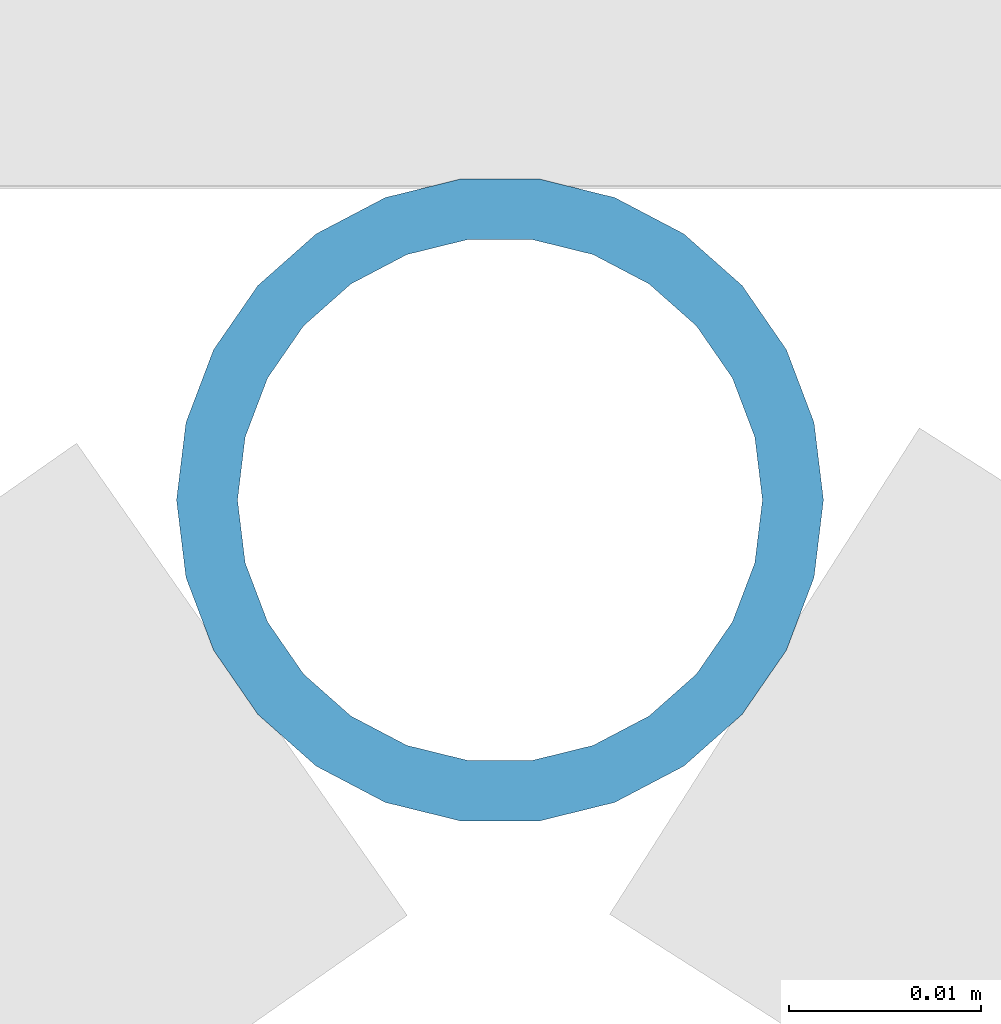
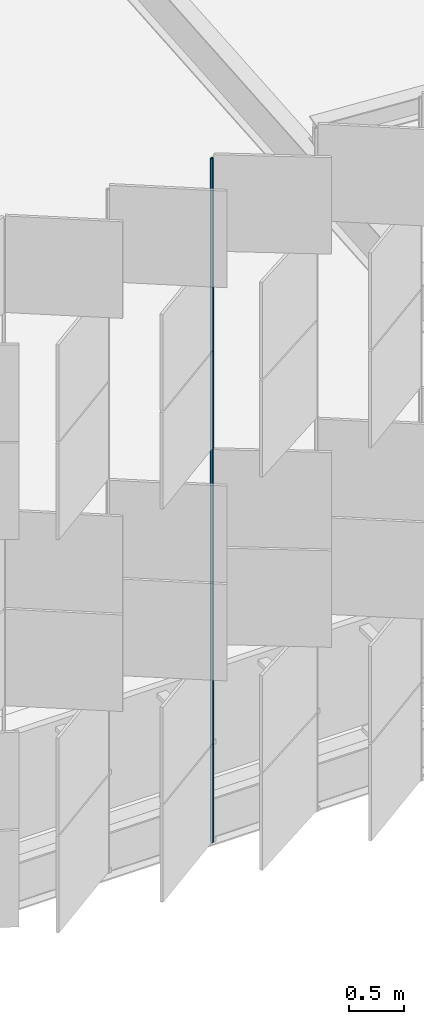
# One storey, part 234 of 483: 1 discrete accessory.
"""IFC4 building model written with IfcOpenShell, lengths in metres."""

from ifc_helpers import new_model, si_unit, direction, frame, origin, origin_2d, place, context, subcontext, project, spatial, hollow_circle, extrude, material, material_profile, profile_set, type_object, element, save


model = new_model("IFC4")

# Units and contexts
model_context = context("Model", 3, precision=1e-05, world=origin(), true_north=direction((0.0, 1.0)))
body_context = subcontext(model_context, "Body", "Model", "MODEL_VIEW")
ifc_project = project(units=[si_unit("LENGTHUNIT", "METRE"), si_unit("AREAUNIT", "SQUARE_METRE"), si_unit("VOLUMEUNIT", "CUBIC_METRE"), si_unit("PLANEANGLEUNIT", "RADIAN"), si_unit("MASSUNIT", "GRAM", prefix="KILO")], contexts=[model_context])

# Site, building, storey
site_placement = place(None, origin())
site = spatial("IfcSite", under=ifc_project, at=site_placement, CompositionType="ELEMENT")
building_placement = place(site_placement, origin())
building = spatial("IfcBuilding", under=site, at=building_placement, Name="Parallax Yard Mobility Hub", CompositionType="ELEMENT")
storey_placement = place(building_placement, frame((0.0, 0.0, 13.199951171875)))
storey = spatial("IfcBuildingStorey", under=building, at=storey_placement, Name="L04", CompositionType="ELEMENT", Elevation=13.199951171875)

# Discrete accessory
ifc_material = material(Name="Steel ASTM A500 Gr C, hot-dip galvanised", Category="steel")
ifc_material_profile = material_profile(ifc_material, hollow_circle(Radius=0.016845703125, WallThickness=0.003173828125, at=origin_2d()), Name="CHS 33.7x3.2")
ifc_profile_set = profile_set([ifc_material_profile], Name="Steel ASTM A500 Gr C, hot-dip galvanised")
discrete_accessory_type = type_object("IfcDiscreteAccessoryType", Name="Hinge post CHS 33.7x3.2", PredefinedType="BRACKET", material=ifc_profile_set)
discrete_accessory_placement = place(storey_placement, frame((169.280517578125, 111.623291015625, 0.0), z_axis=(0.0, 0.0, 1.0), x_axis=(1.0, 0.0, 0.0)))
element("IfcDiscreteAccessory", 1, at=discrete_accessory_placement, inside=storey, type_object=discrete_accessory_type, Name="Hinge post bay 17.5 level L04", PredefinedType="BRACKET", context=body_context, shape_type="SweptSolid", body=[
    extrude(hollow_circle(Radius=0.016845703125, WallThickness=0.003173828125, at=origin_2d()), origin(), (0.0, 0.0, 1.0), 7.650146484375),
])

save(model, "model.ifc")
